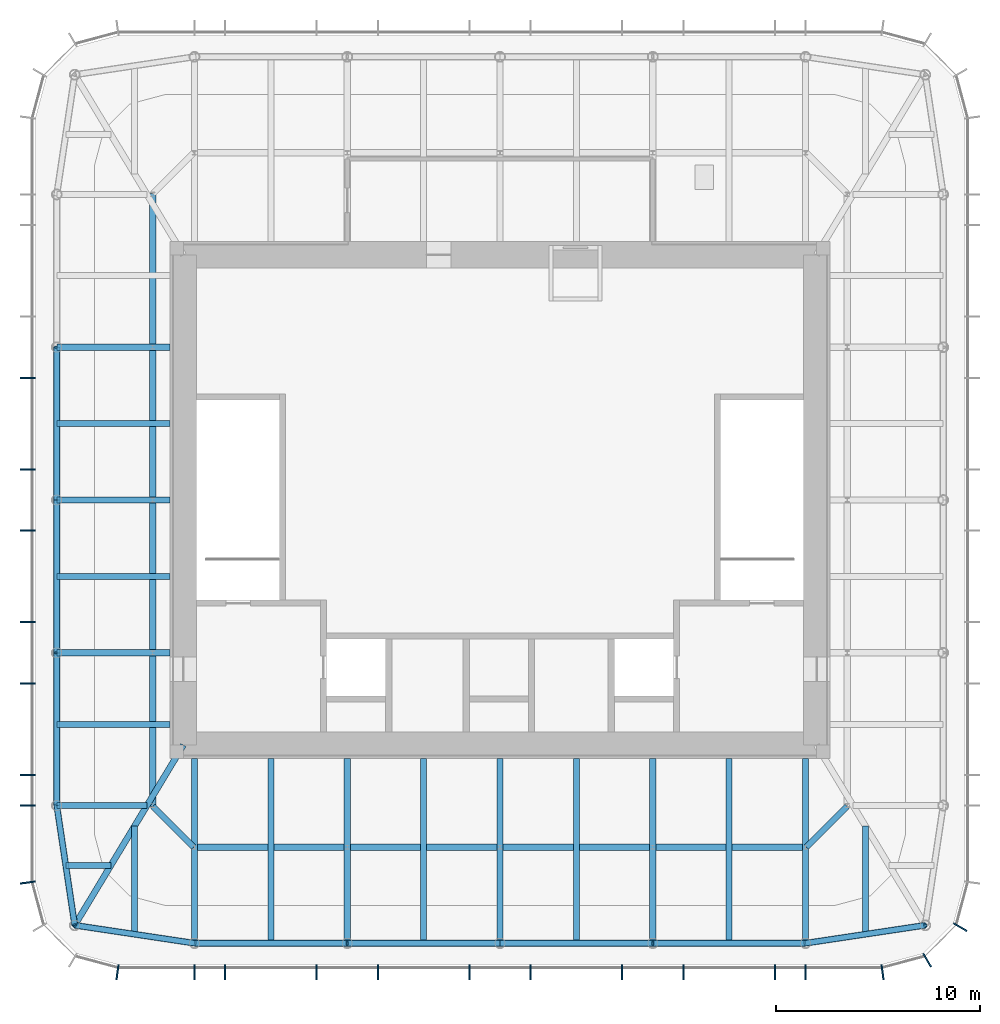
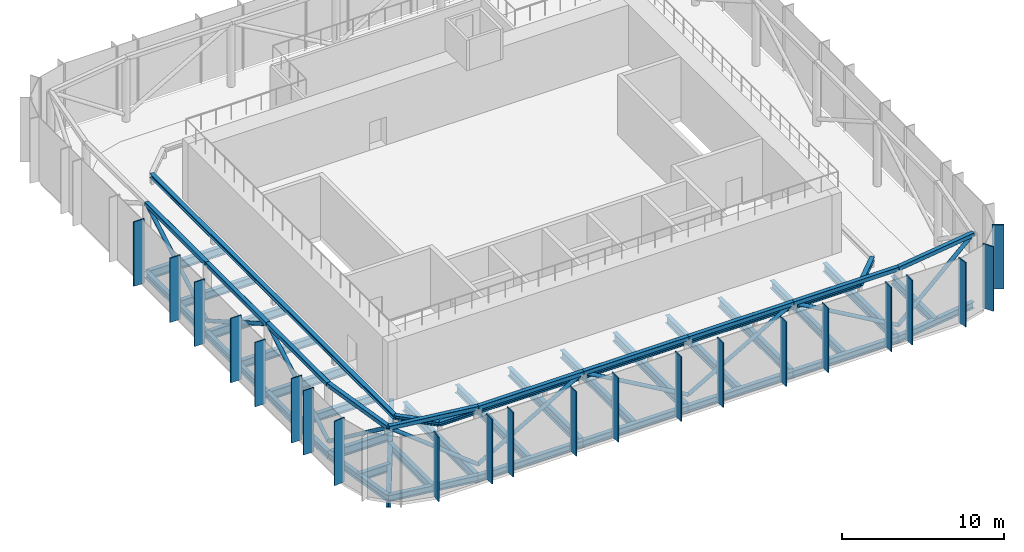
# One storey, part 2 of 12: 46 members, 30 beams, 4 elements without a shape of their own.
"""IFC4 building model written with IfcOpenShell, lengths in metres."""

from ifc_helpers import new_model, si_unit, direction, frame, origin, origin_2d, place, context, subcontext, project, spatial, rectangle, hollow_rectangle, hollow_circle, i_section, extrude, material, material_profile, profile_set, type_object, element, aggregate, save


model = new_model("IFC4")

# Units and contexts
model_context = context("Model", 3, precision=1e-05, world=origin(), true_north=direction((0.0, 1.0)))
body_context = subcontext(model_context, "Body", "Model", "MODEL_VIEW")
ifc_project = project(units=[si_unit("LENGTHUNIT", "METRE"), si_unit("AREAUNIT", "SQUARE_METRE"), si_unit("VOLUMEUNIT", "CUBIC_METRE"), si_unit("PLANEANGLEUNIT", "RADIAN"), si_unit("MASSUNIT", "GRAM", prefix="KILO")], contexts=[model_context])

# Site, building, storey
site_placement = place(None, origin())
site = spatial("IfcSite", under=ifc_project, at=site_placement, CompositionType="ELEMENT")
building_placement = place(site_placement, origin())
building = spatial("IfcBuilding", under=site, at=building_placement, Name="Khuree Lantern Residences", CompositionType="ELEMENT")
storey_placement = place(building_placement, frame((0.0, 0.0, 363.25)))
storey = spatial("IfcBuildingStorey", under=building, at=storey_placement, Name="RF", CompositionType="ELEMENT", Elevation=363.25)

# Beams
ifc_material_1 = material(Name="Steel S355", Category="steel")
ifc_material_profile_1 = material_profile(ifc_material_1, i_section(OverallWidth=0.300048828125, OverallDepth=0.590087890625, WebThickness=0.012939453125, FlangeThickness=0.02490234375, FilletRadius=0.027099609375, at=origin_2d()), Name="HE 600 A")
ifc_profile_set_1 = profile_set([ifc_material_profile_1], Name="Steel S355")
beam_type_1 = type_object("IfcBeamType", Name="B-RF SECONDARY BEAM HE 600 A", PredefinedType="BEAM", material=ifc_profile_set_1)
beam_1_placement = place(storey_placement, frame((17.890625, -21.2607421875, -0.64501953125), z_axis=(0.0, 1.0, 0.0), x_axis=(-1.0, 0.0, 0.0)))
element("IfcBeam", 1, at=beam_1_placement, inside=storey, type_object=beam_type_1, Name="Secondary beam S1", PredefinedType="BEAM", context=body_context, shape_type="SweptSolid", body=[
    extrude(i_section(OverallWidth=0.300048828125, OverallDepth=0.590087890625, WebThickness=0.012939453125, FlangeThickness=0.02490234375, FilletRadius=0.027099609375, at=origin_2d()), origin(), (0.0, 0.0, 1.0), 5.297607421875),
])
for number, where, z_axis, x_axis, name in (
    (2, (11.219970703125, -21.699951171875, -0.64501953125), (0.0, 1.0, 0.0), (-1.0, 0.0, 0.0), "Secondary beam S2"),
    (3, (3.739990234375, -21.699951171875, -0.64501953125), (0.0, 1.0, 0.0), (-1.0, 0.0, 0.0), "Secondary beam S3"),
    (4, (-3.739990234375, -21.699951171875, -0.64501953125), (0.0, 1.0, 0.0), (-1.0, 0.0, 0.0), "Secondary beam S4"),
    (5, (-11.219970703125, -21.699951171875, -0.64501953125), (0.0, 1.0, 0.0), (-1.0, 0.0, 0.0), "Secondary beam S5"),
):
    element("IfcBeam", number, at=place(storey_placement, frame(where, z_axis=z_axis, x_axis=x_axis)), inside=storey, type_object=beam_type_1, Name=name, PredefinedType="BEAM", context=body_context, shape_type="SweptSolid", body=[
        extrude(i_section(OverallWidth=0.300048828125, OverallDepth=0.590087890625, WebThickness=0.012939453125, FlangeThickness=0.02490234375, FilletRadius=0.027099609375, at=origin_2d()), origin(), (0.0, 0.0, 1.0), 9.050048828125),
    ])
beam_2_placement = place(storey_placement, frame((-17.890625, -21.2607421875, -0.64501953125), z_axis=(0.0, 1.0, 0.0), x_axis=(-1.0, 0.0, 0.0)))
element("IfcBeam", 6, at=beam_2_placement, inside=storey, type_object=beam_type_1, Name="Secondary beam S6", PredefinedType="BEAM", context=body_context, shape_type="SweptSolid", body=[
    extrude(i_section(OverallWidth=0.300048828125, OverallDepth=0.590087890625, WebThickness=0.012939453125, FlangeThickness=0.02490234375, FilletRadius=0.027099609375, at=origin_2d()), origin(), (0.0, 0.0, 1.0), 5.297607421875),
])
beam_3_placement = place(storey_placement, frame((-21.2607421875, -17.890625, -0.64501953125), z_axis=(1.0, 0.0, 0.0), x_axis=(0.0, 1.0, 0.0)))
element("IfcBeam", 7, at=beam_3_placement, inside=storey, type_object=beam_type_1, Name="Secondary beam W1", PredefinedType="BEAM", context=body_context, shape_type="SweptSolid", body=[
    extrude(i_section(OverallWidth=0.300048828125, OverallDepth=0.590087890625, WebThickness=0.012939453125, FlangeThickness=0.02490234375, FilletRadius=0.027099609375, at=origin_2d()), origin(), (0.0, 0.0, 1.0), 2.207275390625),
])
for number, where, z_axis, x_axis, name in (
    (8, (-21.699951171875, -11.0, -0.64501953125), (1.0, 0.0, 0.0), (0.0, 1.0, 0.0), "Secondary beam W2"),
    (9, (-21.699951171875, -3.739990234375, -0.64501953125), (1.0, 0.0, 0.0), (0.0, 1.0, 0.0), "Secondary beam W3"),
    (10, (-21.699951171875, 3.739990234375, -0.64501953125), (1.0, 0.0, 0.0), (0.0, 1.0, 0.0), "Secondary beam W4"),
):
    element("IfcBeam", number, at=place(storey_placement, frame(where, z_axis=z_axis, x_axis=x_axis)), inside=storey, type_object=beam_type_1, Name=name, PredefinedType="BEAM", context=body_context, shape_type="SweptSolid", body=[
        extrude(i_section(OverallWidth=0.300048828125, OverallDepth=0.590087890625, WebThickness=0.012939453125, FlangeThickness=0.02490234375, FilletRadius=0.027099609375, at=origin_2d()), origin(), (0.0, 0.0, 1.0), 5.550048828125),
    ])

# Members
ifc_material_profile_2 = material_profile(ifc_material_1, i_section(OverallWidth=0.300048828125, OverallDepth=0.300048828125, WebThickness=0.010986328125, FlangeThickness=0.01904296875, FilletRadius=0.027099609375, at=origin_2d()), Name="HE 300 B")
ifc_profile_set_2 = profile_set([ifc_material_profile_2], Name="Steel S355")
member_type_1 = type_object("IfcMemberType", Name="BM1 GANTRY TRACK HE 300 B", PredefinedType="USERDEFINED", material=ifc_profile_set_2)
member_1_placement = place(storey_placement, frame((15.0, -17.0, 0.64990234375), z_axis=(0.707106781187, 0.707106781187, 0.0), x_axis=(-0.707106781187, 0.707106781187, 0.0)))
element("IfcMember", 11, at=member_1_placement, inside=storey, type_object=member_type_1, Name="Gantry track 1", ObjectType="GANTRY TRACK", PredefinedType="USERDEFINED", context=body_context, shape_type="SweptSolid", body=[
    extrude(i_section(OverallWidth=0.300048828125, OverallDepth=0.300048828125, WebThickness=0.010986328125, FlangeThickness=0.01904296875, FilletRadius=0.027099609375, at=origin_2d()), origin(), (0.0, 0.0, 1.0), 2.828369140625),
])
member_2_placement = place(storey_placement, frame((-17.0, 15.0, 0.64990234375), z_axis=(0.0, -1.0, 0.0), x_axis=(1.0, 0.0, 0.0)))
element("IfcMember", 12, at=member_2_placement, inside=storey, type_object=member_type_1, Name="Gantry track 6", ObjectType="GANTRY TRACK", PredefinedType="USERDEFINED", context=body_context, shape_type="SweptSolid", body=[
    extrude(i_section(OverallWidth=0.300048828125, OverallDepth=0.300048828125, WebThickness=0.010986328125, FlangeThickness=0.01904296875, FilletRadius=0.027099609375, at=origin_2d()), origin(), (0.0, 0.0, 1.0), 30.0),
])
member_3_placement = place(storey_placement, frame((-17.0, -15.0, 0.64990234375), z_axis=(0.707106781187, -0.707106781187, 0.0), x_axis=(0.707106781187, 0.707106781187, 0.0)))
element("IfcMember", 13, at=member_3_placement, inside=storey, type_object=member_type_1, Name="Gantry track 7", ObjectType="GANTRY TRACK", PredefinedType="USERDEFINED", context=body_context, shape_type="SweptSolid", body=[
    extrude(i_section(OverallWidth=0.300048828125, OverallDepth=0.300048828125, WebThickness=0.010986328125, FlangeThickness=0.01904296875, FilletRadius=0.027099609375, at=origin_2d()), origin(), (0.0, 0.0, 1.0), 2.828369140625),
])
member_4_placement = place(storey_placement, frame((-15.0, -17.0, 0.64990234375), z_axis=(1.0, 0.0, 0.0), x_axis=(0.0, 1.0, 0.0)))
element("IfcMember", 14, at=member_4_placement, inside=storey, type_object=member_type_1, Name="Gantry track 8", ObjectType="GANTRY TRACK", PredefinedType="USERDEFINED", context=body_context, shape_type="SweptSolid", body=[
    extrude(i_section(OverallWidth=0.300048828125, OverallDepth=0.300048828125, WebThickness=0.010986328125, FlangeThickness=0.01904296875, FilletRadius=0.027099609375, at=origin_2d()), origin(), (0.0, 0.0, 1.0), 30.0),
])
ifc_material_profile_3 = material_profile(ifc_material_1, hollow_rectangle(XDim=0.300048828125, YDim=0.300048828125, WallThickness=0.012451171875, InnerFilletRadius=0.012451171875, OuterFilletRadius=0.018798828125, at=origin_2d()), Name="SHS 300X300X12.5")
ifc_profile_set_3 = profile_set([ifc_material_profile_3], Name="Steel S355")
member_type_2 = type_object("IfcMemberType", Name="CF2 LANTERN FRAME RING SHS 300X300X12.5", PredefinedType="CHORD", material=ifc_profile_set_3)
member_5_placement = place(storey_placement, frame((20.8212890625, -20.8212890625, 4.699951171875), z_axis=(-0.988949643299, -0.148251822985, 0.0), x_axis=(0.148251822985, -0.988949643299, 0.0)))
element("IfcMember", 15, at=member_5_placement, inside=storey, type_object=member_type_2, Name="Lantern frame ring S1", PredefinedType="CHORD", context=body_context, shape_type="SweptSolid", body=[
    extrude(hollow_rectangle(XDim=0.300048828125, YDim=0.300048828125, WallThickness=0.012451171875, InnerFilletRadius=0.012451171875, OuterFilletRadius=0.018798828125, at=origin_2d()), origin(), (0.0, 0.0, 1.0), 5.9267578125),
])
for number, where, z_axis, x_axis, name in (
    (16, (14.9599609375, -21.699951171875, 4.699951171875), (-1.0, 0.0, 0.0), (0.0, -1.0, 0.0), "Lantern frame ring S2"),
    (17, (7.47998046875, -21.699951171875, 4.699951171875), (-1.0, 0.0, 0.0), (0.0, -1.0, 0.0), "Lantern frame ring S3"),
    (18, (0.0, -21.699951171875, 4.699951171875), (-1.0, 0.0, 0.0), (0.0, -1.0, 0.0), "Lantern frame ring S4"),
    (19, (-7.47998046875, -21.699951171875, 4.699951171875), (-1.0, 0.0, 0.0), (0.0, -1.0, 0.0), "Lantern frame ring S5"),
):
    element("IfcMember", number, at=place(storey_placement, frame(where, z_axis=z_axis, x_axis=x_axis)), inside=storey, type_object=member_type_2, Name=name, PredefinedType="CHORD", context=body_context, shape_type="SweptSolid", body=[
        extrude(hollow_rectangle(XDim=0.300048828125, YDim=0.300048828125, WallThickness=0.012451171875, InnerFilletRadius=0.012451171875, OuterFilletRadius=0.018798828125, at=origin_2d()), origin(), (0.0, 0.0, 1.0), 7.47998046875),
    ])
for number, where, z_axis, x_axis, name in (
    (20, (-14.9599609375, -21.699951171875, 4.699951171875), (-0.988949643299, 0.148251822985, 0.0), (-0.148251822985, -0.988949643299, 0.0), "Lantern frame ring S6"),
    (21, (-20.8212890625, -20.8212890625, 4.699951171875), (-0.148251822985, 0.988949643299, 0.0), (-0.988949643299, -0.148251822985, 0.0), "Lantern frame ring W1"),
):
    element("IfcMember", number, at=place(storey_placement, frame(where, z_axis=z_axis, x_axis=x_axis)), inside=storey, type_object=member_type_2, Name=name, PredefinedType="CHORD", context=body_context, shape_type="SweptSolid", body=[
        extrude(hollow_rectangle(XDim=0.300048828125, YDim=0.300048828125, WallThickness=0.012451171875, InnerFilletRadius=0.012451171875, OuterFilletRadius=0.018798828125, at=origin_2d()), origin(), (0.0, 0.0, 1.0), 5.9267578125),
    ])
for number, where, z_axis, x_axis, name in (
    (22, (-21.699951171875, -14.9599609375, 4.699951171875), (0.0, 1.0, 0.0), (-1.0, 0.0, 0.0), "Lantern frame ring W2"),
    (23, (-21.699951171875, -7.47998046875, 4.699951171875), (0.0, 1.0, 0.0), (-1.0, 0.0, 0.0), "Lantern frame ring W3"),
    (24, (-21.699951171875, 0.0, 4.699951171875), (0.0, 1.0, 0.0), (-1.0, 0.0, 0.0), "Lantern frame ring W4"),
):
    element("IfcMember", number, at=place(storey_placement, frame(where, z_axis=z_axis, x_axis=x_axis)), inside=storey, type_object=member_type_2, Name=name, PredefinedType="CHORD", context=body_context, shape_type="SweptSolid", body=[
        extrude(hollow_rectangle(XDim=0.300048828125, YDim=0.300048828125, WallThickness=0.012451171875, InnerFilletRadius=0.012451171875, OuterFilletRadius=0.018798828125, at=origin_2d()), origin(), (0.0, 0.0, 1.0), 7.47998046875),
    ])
ifc_material_profile_4 = material_profile(ifc_material_1, hollow_circle(Radius=0.136474609375, WallThickness=0.012451171875, at=origin_2d()), Name="CHS 273X12.5")
ifc_profile_set_4 = profile_set([ifc_material_profile_4], Name="Steel S355")
member_type_3 = type_object("IfcMemberType", Name="CF3 LANTERN FRAME BRACE CHS 273X12.5", PredefinedType="BRACE", material=ifc_profile_set_4)
member_6_placement = place(storey_placement, frame((20.8212890625, -20.8212890625, 4.699951171875), z_axis=(-0.800464746609, -0.119996360507, -0.587245317479), x_axis=(0.148251822985, -0.988949643299, 0.0)))
element("IfcMember", 25, at=member_6_placement, inside=storey, type_object=member_type_3, Name="Lantern frame brace S1", PredefinedType="BRACE", context=body_context, shape_type="SweptSolid", body=[
    extrude(hollow_circle(Radius=0.136474609375, WallThickness=0.012451171875, at=origin_2d()), origin(), (0.0, 0.0, 1.0), 7.322509765625),
])
for number, where, z_axis, x_axis, name in (
    (26, (14.9599609375, -21.699951171875, 0.39990234375), (-0.866953376131, 0.0, 0.498389249096), (0.0, -1.0, 0.0), "Lantern frame brace S2"),
    (27, (7.47998046875, -21.699951171875, 4.699951171875), (-0.866953376131, 0.0, -0.498389249096), (0.0, -1.0, 0.0), "Lantern frame brace S3"),
    (28, (0.0, -21.699951171875, 0.39990234375), (-0.866953376131, 0.0, 0.498389249096), (0.0, -1.0, 0.0), "Lantern frame brace S4"),
    (29, (-7.47998046875, -21.699951171875, 4.699951171875), (-0.866953376131, 0.0, -0.498389249096), (0.0, -1.0, 0.0), "Lantern frame brace S5"),
):
    element("IfcMember", number, at=place(storey_placement, frame(where, z_axis=z_axis, x_axis=x_axis)), inside=storey, type_object=member_type_3, Name=name, PredefinedType="BRACE", context=body_context, shape_type="SweptSolid", body=[
        extrude(hollow_circle(Radius=0.136474609375, WallThickness=0.012451171875, at=origin_2d()), origin(), (0.0, 0.0, 1.0), 8.6279296875),
    ])
for number, where, z_axis, x_axis, name in (
    (30, (-14.9599609375, -21.699951171875, 0.39990234375), (-0.800464746609, 0.119996360507, 0.587245317479), (-0.148251822985, -0.988949643299, 0.0), "Lantern frame brace S6"),
    (31, (-20.8212890625, -20.8212890625, 4.699951171875), (-0.119996360507, 0.800464746609, -0.587245317479), (-0.988949643299, -0.148251822985, 0.0), "Lantern frame brace W1"),
):
    element("IfcMember", number, at=place(storey_placement, frame(where, z_axis=z_axis, x_axis=x_axis)), inside=storey, type_object=member_type_3, Name=name, PredefinedType="BRACE", context=body_context, shape_type="SweptSolid", body=[
        extrude(hollow_circle(Radius=0.136474609375, WallThickness=0.012451171875, at=origin_2d()), origin(), (0.0, 0.0, 1.0), 7.322509765625),
    ])
for number, where, z_axis, x_axis, name in (
    (32, (-21.699951171875, -14.9599609375, 0.39990234375), (0.0, 0.866953376131, 0.498389249096), (-1.0, 0.0, 0.0), "Lantern frame brace W2"),
    (33, (-21.699951171875, -7.47998046875, 4.699951171875), (0.0, 0.866953376131, -0.498389249096), (-1.0, 0.0, 0.0), "Lantern frame brace W3"),
    (34, (-21.699951171875, 0.0, 0.39990234375), (0.0, 0.866953376131, 0.498389249096), (-1.0, 0.0, 0.0), "Lantern frame brace W4"),
):
    element("IfcMember", number, at=place(storey_placement, frame(where, z_axis=z_axis, x_axis=x_axis)), inside=storey, type_object=member_type_3, Name=name, PredefinedType="BRACE", context=body_context, shape_type="SweptSolid", body=[
        extrude(hollow_circle(Radius=0.136474609375, WallThickness=0.012451171875, at=origin_2d()), origin(), (0.0, 0.0, 1.0), 8.6279296875),
    ])

# Beams
ifc_material_profile_5 = material_profile(ifc_material_1, i_section(OverallWidth=0.300048828125, OverallDepth=0.489990234375, WebThickness=0.011962890625, FlangeThickness=0.02294921875, FilletRadius=0.027099609375, at=origin_2d()), Name="HE 500 A")
ifc_profile_set_5 = profile_set([ifc_material_profile_5], Name="Steel S355")
beam_type_2 = type_object("IfcBeamType", Name="E-RF SPANDREL BEAM HE 500 A", PredefinedType="SPANDREL", material=ifc_profile_set_5)
beam_4_placement = place(storey_placement, frame((20.8212890625, -20.8212890625, -0.594970703125), z_axis=(-0.988949643299, -0.148251822985, 0.0), x_axis=(0.148251822985, -0.988949643299, 0.0)))
element("IfcBeam", 35, at=beam_4_placement, inside=storey, type_object=beam_type_2, Name="Spandrel beam S1", PredefinedType="SPANDREL", context=body_context, shape_type="SweptSolid", body=[
    extrude(i_section(OverallWidth=0.300048828125, OverallDepth=0.489990234375, WebThickness=0.011962890625, FlangeThickness=0.02294921875, FilletRadius=0.027099609375, at=origin_2d()), origin(), (0.0, 0.0, 1.0), 5.9267578125),
])
for number, where, z_axis, x_axis, name in (
    (36, (14.9599609375, -21.699951171875, -0.594970703125), (-1.0, 0.0, 0.0), (0.0, -1.0, 0.0), "Spandrel beam S2"),
    (37, (7.47998046875, -21.699951171875, -0.594970703125), (-1.0, 0.0, 0.0), (0.0, -1.0, 0.0), "Spandrel beam S3"),
    (38, (0.0, -21.699951171875, -0.594970703125), (-1.0, 0.0, 0.0), (0.0, -1.0, 0.0), "Spandrel beam S4"),
    (39, (-7.47998046875, -21.699951171875, -0.594970703125), (-1.0, 0.0, 0.0), (0.0, -1.0, 0.0), "Spandrel beam S5"),
):
    element("IfcBeam", number, at=place(storey_placement, frame(where, z_axis=z_axis, x_axis=x_axis)), inside=storey, type_object=beam_type_2, Name=name, PredefinedType="SPANDREL", context=body_context, shape_type="SweptSolid", body=[
        extrude(i_section(OverallWidth=0.300048828125, OverallDepth=0.489990234375, WebThickness=0.011962890625, FlangeThickness=0.02294921875, FilletRadius=0.027099609375, at=origin_2d()), origin(), (0.0, 0.0, 1.0), 7.47998046875),
    ])
for number, where, z_axis, x_axis, name in (
    (40, (-14.9599609375, -21.699951171875, -0.594970703125), (-0.988949643299, 0.148251822985, 0.0), (-0.148251822985, -0.988949643299, 0.0), "Spandrel beam S6"),
    (41, (-20.8212890625, -20.8212890625, -0.594970703125), (-0.148251822985, 0.988949643299, 0.0), (-0.988949643299, -0.148251822985, 0.0), "Spandrel beam W1"),
):
    element("IfcBeam", number, at=place(storey_placement, frame(where, z_axis=z_axis, x_axis=x_axis)), inside=storey, type_object=beam_type_2, Name=name, PredefinedType="SPANDREL", context=body_context, shape_type="SweptSolid", body=[
        extrude(i_section(OverallWidth=0.300048828125, OverallDepth=0.489990234375, WebThickness=0.011962890625, FlangeThickness=0.02294921875, FilletRadius=0.027099609375, at=origin_2d()), origin(), (0.0, 0.0, 1.0), 5.9267578125),
    ])
for number, where, z_axis, x_axis, name in (
    (42, (-21.699951171875, -14.9599609375, -0.594970703125), (0.0, 1.0, 0.0), (-1.0, 0.0, 0.0), "Spandrel beam W2"),
    (43, (-21.699951171875, -7.47998046875, -0.594970703125), (0.0, 1.0, 0.0), (-1.0, 0.0, 0.0), "Spandrel beam W3"),
    (44, (-21.699951171875, 0.0, -0.594970703125), (0.0, 1.0, 0.0), (-1.0, 0.0, 0.0), "Spandrel beam W4"),
):
    element("IfcBeam", number, at=place(storey_placement, frame(where, z_axis=z_axis, x_axis=x_axis)), inside=storey, type_object=beam_type_2, Name=name, PredefinedType="SPANDREL", context=body_context, shape_type="SweptSolid", body=[
        extrude(i_section(OverallWidth=0.300048828125, OverallDepth=0.489990234375, WebThickness=0.011962890625, FlangeThickness=0.02294921875, FilletRadius=0.027099609375, at=origin_2d()), origin(), (0.0, 0.0, 1.0), 7.47998046875),
    ])

# Curtain wall, members
ifc_material_2 = material(Name="Bronze anodised aluminium", Category="aluminium")
curtain_wall_type = type_object("IfcCurtainWallType", Name="CW-L LANTERN CROWN CURTAIN WALL", PredefinedType="USERDEFINED", material=ifc_material_2)
curtain_wall_1_placement = place(storey_placement, origin())
curtain_wall_1 = element("IfcCurtainWall", 45, at=curtain_wall_1_placement, inside=storey, type_object=curtain_wall_type, Name="RF SOUTH-EAST CORNER CURTAIN WALL", ObjectType="Lantern curtain wall", PredefinedType="USERDEFINED")
ifc_material_profile_6 = material_profile(ifc_material_2, rectangle(XDim=0.074951171875, YDim=0.75, at=origin_2d()), Name="F4 75X750")
ifc_profile_set_6 = profile_set([ifc_material_profile_6], Name="Bronze anodised aluminium")
member_type_4 = type_object("IfcMemberType", Name="F4 BRONZE FIN MULLION LANTERN 75X750", PredefinedType="MULLION", material=ifc_profile_set_6)
member_7_placement = place(storey_placement, frame((18.7294921875, -23.12451171875, 0.0), z_axis=(0.0, 0.0, 1.0), x_axis=(0.991444870192, 0.130526125236, 0.0)))
member_7 = element("IfcMember", 46, at=member_7_placement, type_object=member_type_4, Name="RF SOUTH-EAST CORNER FIN MULLION 1", PredefinedType="MULLION", context=body_context, shape_type="SweptSolid", body=[
    extrude(rectangle(XDim=0.074951171875, YDim=0.75, at=origin_2d()), origin(), (0.0, 0.0, 1.0), 4.85009765625),
])
member_8_placement = place(storey_placement, frame((20.91259765625, -22.5322265625, 0.0), z_axis=(0.0, 0.0, 1.0), x_axis=(0.866025437565, 0.49999994149, 0.0)))
member_8 = element("IfcMember", 47, at=member_8_placement, type_object=member_type_4, Name="RF SOUTH-EAST CORNER FIN MULLION 2", PredefinedType="MULLION", context=body_context, shape_type="SweptSolid", body=[
    extrude(rectangle(XDim=0.074951171875, YDim=0.75, at=origin_2d()), origin(), (0.0, 0.0, 1.0), 4.85009765625),
])
member_9_placement = place(storey_placement, frame((22.5322265625, -20.91259765625, 0.0), z_axis=(0.0, 0.0, 1.0), x_axis=(0.49999994149, 0.866025437565, 0.0)))
member_9 = element("IfcMember", 48, at=member_9_placement, type_object=member_type_4, Name="RF SOUTH-EAST CORNER FIN MULLION 3", PredefinedType="MULLION", context=body_context, shape_type="SweptSolid", body=[
    extrude(rectangle(XDim=0.074951171875, YDim=0.75, at=origin_2d()), origin(), (0.0, 0.0, 1.0), 4.85009765625),
])
aggregate(curtain_wall_1, [member_7, member_8, member_9])

curtain_wall_2_placement = place(storey_placement, origin())
curtain_wall_2 = element("IfcCurtainWall", 49, at=curtain_wall_2_placement, inside=storey, type_object=curtain_wall_type, Name="RF WEST FACE CURTAIN WALL", ObjectType="Lantern curtain wall", PredefinedType="USERDEFINED")
member_10_placement = place(storey_placement, frame((-23.125, 5.98388671875, 0.0), z_axis=(0.0, 0.0, 1.0), x_axis=(0.0, -1.0, 0.0)))
member_10 = element("IfcMember", 50, at=member_10_placement, type_object=member_type_4, Name="RF WEST FACE FIN MULLION 36", PredefinedType="MULLION", context=body_context, shape_type="SweptSolid", body=[
    extrude(rectangle(XDim=0.074951171875, YDim=0.75, at=origin_2d()), origin(), (0.0, 0.0, 1.0), 4.85009765625),
])
member_11_placement = place(storey_placement, frame((-23.125, 1.49609375, 0.0), z_axis=(0.0, 0.0, 1.0), x_axis=(0.0, -1.0, 0.0)))
member_11 = element("IfcMember", 51, at=member_11_placement, type_object=member_type_4, Name="RF WEST FACE FIN MULLION 37", PredefinedType="MULLION", context=body_context, shape_type="SweptSolid", body=[
    extrude(rectangle(XDim=0.074951171875, YDim=0.75, at=origin_2d()), origin(), (0.0, 0.0, 1.0), 4.85009765625),
])
member_12_placement = place(storey_placement, frame((-23.125, -1.49609375, 0.0), z_axis=(0.0, 0.0, 1.0), x_axis=(0.0, -1.0, 0.0)))
member_12 = element("IfcMember", 52, at=member_12_placement, type_object=member_type_4, Name="RF WEST FACE FIN MULLION 38", PredefinedType="MULLION", context=body_context, shape_type="SweptSolid", body=[
    extrude(rectangle(XDim=0.074951171875, YDim=0.75, at=origin_2d()), origin(), (0.0, 0.0, 1.0), 4.85009765625),
])
member_13_placement = place(storey_placement, frame((-23.125, -5.98388671875, 0.0), z_axis=(0.0, 0.0, 1.0), x_axis=(0.0, -1.0, 0.0)))
member_13 = element("IfcMember", 53, at=member_13_placement, type_object=member_type_4, Name="RF WEST FACE FIN MULLION 39", PredefinedType="MULLION", context=body_context, shape_type="SweptSolid", body=[
    extrude(rectangle(XDim=0.074951171875, YDim=0.75, at=origin_2d()), origin(), (0.0, 0.0, 1.0), 4.85009765625),
])
member_14_placement = place(storey_placement, frame((-23.125, -8.97607421875, 0.0), z_axis=(0.0, 0.0, 1.0), x_axis=(0.0, -1.0, 0.0)))
member_14 = element("IfcMember", 54, at=member_14_placement, type_object=member_type_4, Name="RF WEST FACE FIN MULLION 40", PredefinedType="MULLION", context=body_context, shape_type="SweptSolid", body=[
    extrude(rectangle(XDim=0.074951171875, YDim=0.75, at=origin_2d()), origin(), (0.0, 0.0, 1.0), 4.85009765625),
])
member_15_placement = place(storey_placement, frame((-23.125, -13.464111328125, 0.0), z_axis=(0.0, 0.0, 1.0), x_axis=(0.0, -1.0, 0.0)))
member_15 = element("IfcMember", 55, at=member_15_placement, type_object=member_type_4, Name="RF WEST FACE FIN MULLION 41", PredefinedType="MULLION", context=body_context, shape_type="SweptSolid", body=[
    extrude(rectangle(XDim=0.074951171875, YDim=0.75, at=origin_2d()), origin(), (0.0, 0.0, 1.0), 4.85009765625),
])
member_16_placement = place(storey_placement, frame((-23.125, -14.9599609375, 0.0), z_axis=(0.0, 0.0, 1.0), x_axis=(0.0, -1.0, 0.0)))
member_16 = element("IfcMember", 56, at=member_16_placement, type_object=member_type_4, Name="RF WEST FACE FIN MULLION 42", PredefinedType="MULLION", context=body_context, shape_type="SweptSolid", body=[
    extrude(rectangle(XDim=0.074951171875, YDim=0.75, at=origin_2d()), origin(), (0.0, 0.0, 1.0), 4.85009765625),
])
aggregate(curtain_wall_2, [member_10, member_11, member_12, member_13, member_14, member_15, member_16])

# Curtain wall, member
curtain_wall_3_placement = place(storey_placement, origin())
curtain_wall_3 = element("IfcCurtainWall", 57, at=curtain_wall_3_placement, inside=storey, type_object=curtain_wall_type, Name="RF SOUTH-WEST CORNER CURTAIN WALL", ObjectType="Lantern curtain wall", PredefinedType="USERDEFINED")
member_17_placement = place(storey_placement, frame((-23.12451171875, -18.7294921875, 0.0), z_axis=(0.0, 0.0, 1.0), x_axis=(0.130526125236, -0.991444870192, 0.0)))
member_17 = element("IfcMember", 58, at=member_17_placement, type_object=member_type_4, Name="RF SOUTH-WEST CORNER FIN MULLION 43", PredefinedType="MULLION", context=body_context, shape_type="SweptSolid", body=[
    extrude(rectangle(XDim=0.074951171875, YDim=0.75, at=origin_2d()), origin(), (0.0, 0.0, 1.0), 4.85009765625),
])
aggregate(curtain_wall_3, [member_17])

# Curtain wall, members
curtain_wall_4_placement = place(storey_placement, origin())
curtain_wall_4 = element("IfcCurtainWall", 59, at=curtain_wall_4_placement, inside=storey, type_object=curtain_wall_type, Name="RF SOUTH FACE CURTAIN WALL", ObjectType="Lantern curtain wall", PredefinedType="USERDEFINED")
member_18_placement = place(storey_placement, frame((-18.7294921875, -23.12451171875, 0.0), z_axis=(0.0, 0.0, 1.0), x_axis=(0.991444870192, -0.130526125236, 0.0)))
member_18 = element("IfcMember", 60, at=member_18_placement, type_object=member_type_4, Name="RF SOUTH FACE FIN MULLION 46", PredefinedType="MULLION", context=body_context, shape_type="SweptSolid", body=[
    extrude(rectangle(XDim=0.074951171875, YDim=0.75, at=origin_2d()), origin(), (0.0, 0.0, 1.0), 4.85009765625),
])
member_19_placement = place(storey_placement, frame((-14.9599609375, -23.125, 0.0), z_axis=(0.0, 0.0, 1.0), x_axis=(1.0, 0.0, 0.0)))
member_19 = element("IfcMember", 61, at=member_19_placement, type_object=member_type_4, Name="RF SOUTH FACE FIN MULLION 47", PredefinedType="MULLION", context=body_context, shape_type="SweptSolid", body=[
    extrude(rectangle(XDim=0.074951171875, YDim=0.75, at=origin_2d()), origin(), (0.0, 0.0, 1.0), 4.85009765625),
])
member_20_placement = place(storey_placement, frame((-13.464111328125, -23.125, 0.0), z_axis=(0.0, 0.0, 1.0), x_axis=(1.0, 0.0, 0.0)))
member_20 = element("IfcMember", 62, at=member_20_placement, type_object=member_type_4, Name="RF SOUTH FACE FIN MULLION 48", PredefinedType="MULLION", context=body_context, shape_type="SweptSolid", body=[
    extrude(rectangle(XDim=0.074951171875, YDim=0.75, at=origin_2d()), origin(), (0.0, 0.0, 1.0), 4.85009765625),
])
member_21_placement = place(storey_placement, frame((-8.97607421875, -23.125, 0.0), z_axis=(0.0, 0.0, 1.0), x_axis=(1.0, 0.0, 0.0)))
member_21 = element("IfcMember", 63, at=member_21_placement, type_object=member_type_4, Name="RF SOUTH FACE FIN MULLION 49", PredefinedType="MULLION", context=body_context, shape_type="SweptSolid", body=[
    extrude(rectangle(XDim=0.074951171875, YDim=0.75, at=origin_2d()), origin(), (0.0, 0.0, 1.0), 4.85009765625),
])
member_22_placement = place(storey_placement, frame((-5.98388671875, -23.125, 0.0), z_axis=(0.0, 0.0, 1.0), x_axis=(1.0, 0.0, 0.0)))
member_22 = element("IfcMember", 64, at=member_22_placement, type_object=member_type_4, Name="RF SOUTH FACE FIN MULLION 50", PredefinedType="MULLION", context=body_context, shape_type="SweptSolid", body=[
    extrude(rectangle(XDim=0.074951171875, YDim=0.75, at=origin_2d()), origin(), (0.0, 0.0, 1.0), 4.85009765625),
])
member_23_placement = place(storey_placement, frame((-1.49609375, -23.125, 0.0), z_axis=(0.0, 0.0, 1.0), x_axis=(1.0, 0.0, 0.0)))
member_23 = element("IfcMember", 65, at=member_23_placement, type_object=member_type_4, Name="RF SOUTH FACE FIN MULLION 51", PredefinedType="MULLION", context=body_context, shape_type="SweptSolid", body=[
    extrude(rectangle(XDim=0.074951171875, YDim=0.75, at=origin_2d()), origin(), (0.0, 0.0, 1.0), 4.85009765625),
])
member_24_placement = place(storey_placement, frame((1.49609375, -23.125, 0.0), z_axis=(0.0, 0.0, 1.0), x_axis=(1.0, 0.0, 0.0)))
member_24 = element("IfcMember", 66, at=member_24_placement, type_object=member_type_4, Name="RF SOUTH FACE FIN MULLION 52", PredefinedType="MULLION", context=body_context, shape_type="SweptSolid", body=[
    extrude(rectangle(XDim=0.074951171875, YDim=0.75, at=origin_2d()), origin(), (0.0, 0.0, 1.0), 4.85009765625),
])
member_25_placement = place(storey_placement, frame((5.98388671875, -23.125, 0.0), z_axis=(0.0, 0.0, 1.0), x_axis=(1.0, 0.0, 0.0)))
member_25 = element("IfcMember", 67, at=member_25_placement, type_object=member_type_4, Name="RF SOUTH FACE FIN MULLION 53", PredefinedType="MULLION", context=body_context, shape_type="SweptSolid", body=[
    extrude(rectangle(XDim=0.074951171875, YDim=0.75, at=origin_2d()), origin(), (0.0, 0.0, 1.0), 4.85009765625),
])
member_26_placement = place(storey_placement, frame((8.97607421875, -23.125, 0.0), z_axis=(0.0, 0.0, 1.0), x_axis=(1.0, 0.0, 0.0)))
member_26 = element("IfcMember", 68, at=member_26_placement, type_object=member_type_4, Name="RF SOUTH FACE FIN MULLION 54", PredefinedType="MULLION", context=body_context, shape_type="SweptSolid", body=[
    extrude(rectangle(XDim=0.074951171875, YDim=0.75, at=origin_2d()), origin(), (0.0, 0.0, 1.0), 4.85009765625),
])
member_27_placement = place(storey_placement, frame((13.464111328125, -23.125, 0.0), z_axis=(0.0, 0.0, 1.0), x_axis=(1.0, 0.0, 0.0)))
member_27 = element("IfcMember", 69, at=member_27_placement, type_object=member_type_4, Name="RF SOUTH FACE FIN MULLION 55", PredefinedType="MULLION", context=body_context, shape_type="SweptSolid", body=[
    extrude(rectangle(XDim=0.074951171875, YDim=0.75, at=origin_2d()), origin(), (0.0, 0.0, 1.0), 4.85009765625),
])
member_28_placement = place(storey_placement, frame((14.9599609375, -23.125, 0.0), z_axis=(0.0, 0.0, 1.0), x_axis=(1.0, 0.0, 0.0)))
member_28 = element("IfcMember", 70, at=member_28_placement, type_object=member_type_4, Name="RF SOUTH FACE FIN MULLION 56", PredefinedType="MULLION", context=body_context, shape_type="SweptSolid", body=[
    extrude(rectangle(XDim=0.074951171875, YDim=0.75, at=origin_2d()), origin(), (0.0, 0.0, 1.0), 4.85009765625),
])
aggregate(curtain_wall_4, [member_18, member_19, member_20, member_21, member_22, member_23, member_24, member_25, member_26, member_27, member_28])

# Beams
ifc_material_profile_7 = material_profile(ifc_material_1, i_section(OverallWidth=0.300048828125, OverallDepth=0.64990234375, WebThickness=0.01611328125, FlangeThickness=0.031005859375, FilletRadius=0.027099609375, at=origin_2d()), Name="HE 650 B")
ifc_profile_set_7 = profile_set([ifc_material_profile_7], Name="Steel S355")
beam_type_3 = type_object("IfcBeamType", Name="G-RF GIRDER HE 650 B", PredefinedType="BEAM", material=ifc_profile_set_7)
for number, where, z_axis, x_axis, name in (
    (71, (14.9599609375, -21.699951171875, -0.675048828125), (0.0, 1.0, 0.0), (-1.0, 0.0, 0.0), "Girder S1"),
    (72, (7.47998046875, -21.699951171875, -0.675048828125), (0.0, 1.0, 0.0), (-1.0, 0.0, 0.0), "Girder S2"),
    (73, (0.0, -21.699951171875, -0.675048828125), (0.0, 1.0, 0.0), (-1.0, 0.0, 0.0), "Girder S3"),
    (74, (-7.47998046875, -21.699951171875, -0.675048828125), (0.0, 1.0, 0.0), (-1.0, 0.0, 0.0), "Girder S4"),
    (75, (-14.9599609375, -21.699951171875, -0.675048828125), (0.0, 1.0, 0.0), (-1.0, 0.0, 0.0), "Girder S5"),
):
    element("IfcBeam", number, at=place(storey_placement, frame(where, z_axis=z_axis, x_axis=x_axis)), inside=storey, type_object=beam_type_3, Name=name, PredefinedType="BEAM", context=body_context, shape_type="SweptSolid", body=[
        extrude(i_section(OverallWidth=0.300048828125, OverallDepth=0.64990234375, WebThickness=0.01611328125, FlangeThickness=0.031005859375, FilletRadius=0.027099609375, at=origin_2d()), origin(), (0.0, 0.0, 1.0), 9.050048828125),
    ])
beam_5_placement = place(storey_placement, frame((-21.699951171875, -14.9599609375, -0.675048828125), z_axis=(1.0, 0.0, 0.0), x_axis=(0.0, 1.0, 0.0)))
element("IfcBeam", 76, at=beam_5_placement, inside=storey, type_object=beam_type_3, Name="Girder W1", PredefinedType="BEAM", context=body_context, shape_type="SweptSolid", body=[
    extrude(i_section(OverallWidth=0.300048828125, OverallDepth=0.64990234375, WebThickness=0.01611328125, FlangeThickness=0.031005859375, FilletRadius=0.027099609375, at=origin_2d()), origin(), (0.0, 0.0, 1.0), 4.414306640625),
])
for number, where, z_axis, x_axis, name in (
    (77, (-21.699951171875, -7.47998046875, -0.675048828125), (1.0, 0.0, 0.0), (0.0, 1.0, 0.0), "Girder W2"),
    (78, (-21.699951171875, 0.0, -0.675048828125), (1.0, 0.0, 0.0), (0.0, 1.0, 0.0), "Girder W3"),
    (79, (-21.699951171875, 7.47998046875, -0.675048828125), (1.0, 0.0, 0.0), (0.0, 1.0, 0.0), "Girder W4"),
):
    element("IfcBeam", number, at=place(storey_placement, frame(where, z_axis=z_axis, x_axis=x_axis)), inside=storey, type_object=beam_type_3, Name=name, PredefinedType="BEAM", context=body_context, shape_type="SweptSolid", body=[
        extrude(i_section(OverallWidth=0.300048828125, OverallDepth=0.64990234375, WebThickness=0.01611328125, FlangeThickness=0.031005859375, FilletRadius=0.027099609375, at=origin_2d()), origin(), (0.0, 0.0, 1.0), 5.550048828125),
    ])
ifc_material_profile_8 = material_profile(ifc_material_1, i_section(OverallWidth=0.300048828125, OverallDepth=1.0, WebThickness=0.01904296875, FlangeThickness=0.035888671875, FilletRadius=0.030029296875, at=origin_2d()), Name="HE 1000 B")
ifc_profile_set_8 = profile_set([ifc_material_profile_8], Name="Steel S355")
beam_type_4 = type_object("IfcBeamType", Name="GD-RF CORNER GIRDER HE 1000 B", PredefinedType="BEAM", material=ifc_profile_set_8)
beam_6_placement = place(storey_placement, frame((-20.8212890625, -20.8212890625, -0.85009765625), z_axis=(0.516529577604, 0.856269347495, 0.0), x_axis=(-0.856269347495, 0.516529577604, 0.0)))
element("IfcBeam", 80, at=beam_6_placement, inside=storey, type_object=beam_type_4, Name="Corner girder SW", PredefinedType="BEAM", context=body_context, shape_type="SweptSolid", body=[
    extrude(i_section(OverallWidth=0.300048828125, OverallDepth=1.0, WebThickness=0.01904296875, FlangeThickness=0.035888671875, FilletRadius=0.030029296875, at=origin_2d()), origin(), (0.0, 0.0, 1.0), 10.302001953125),
])

save(model, "model.ifc")
